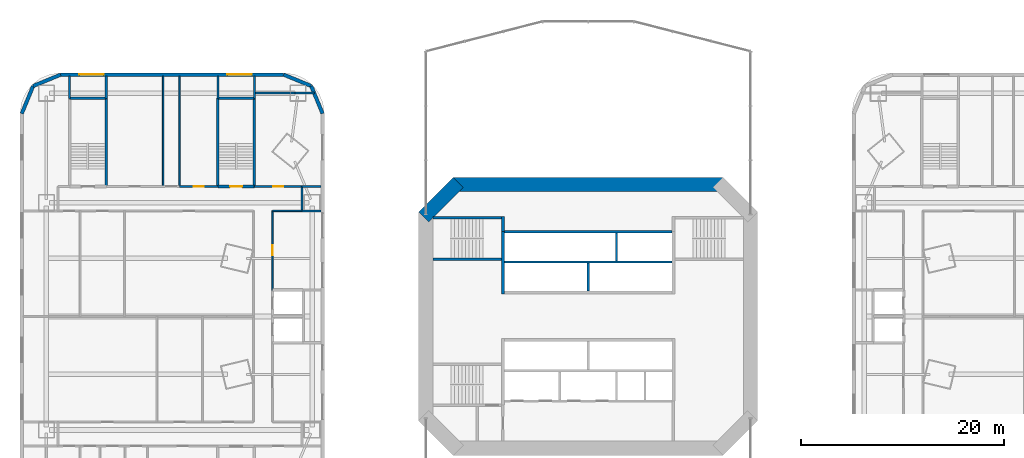
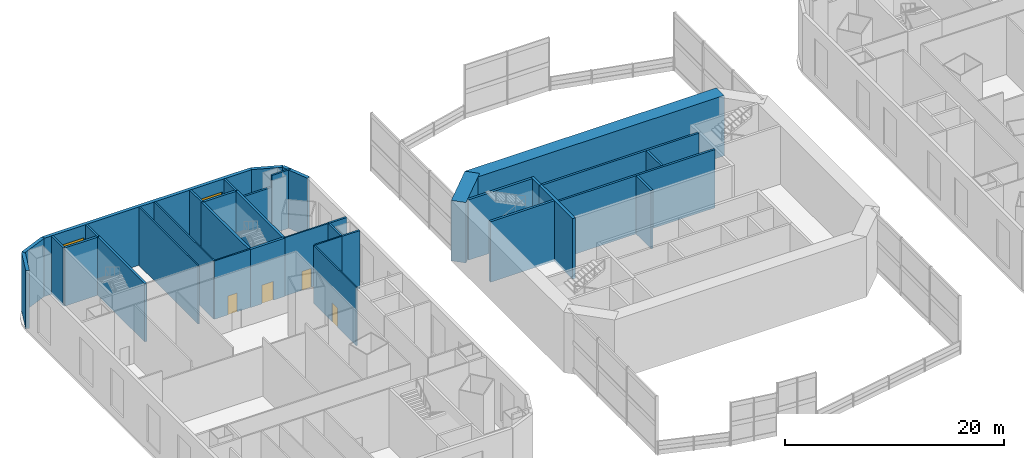
# One storey, part 12 of 19: 36 walls, 4 doors, 2 windows, 6 openings.
"""IFC4 building model written with IfcOpenShell, lengths in metres."""

from ifc_helpers import new_model, si_unit, direction, frame, frame_2d, origin, place, context, subcontext, project, spatial, rectangle, extrude, material, layer, layer_set, type_object, element, fill, save


model = new_model("IFC4")

# Units and contexts
model_context = context("Model", 3, precision=1e-05, world=origin(), true_north=direction((0.0, 1.0)))
body_context = subcontext(model_context, "Body", "Model", "MODEL_VIEW")
ifc_project = project(units=[si_unit("LENGTHUNIT", "METRE"), si_unit("AREAUNIT", "SQUARE_METRE"), si_unit("VOLUMEUNIT", "CUBIC_METRE"), si_unit("PLANEANGLEUNIT", "RADIAN"), si_unit("MASSUNIT", "GRAM", prefix="KILO")], contexts=[model_context])

# Site, building, storey
site_placement = place(None, origin())
site = spatial("IfcSite", under=ifc_project, at=site_placement, CompositionType="ELEMENT")
building_placement = place(site_placement, origin())
building = spatial("IfcBuilding", under=site, at=building_placement, Name="Marenthal Gate Tower", CompositionType="ELEMENT")
storey_placement = place(building_placement, frame((0.0, 0.0, 19.0)))
storey = spatial("IfcBuildingStorey", under=building, at=storey_placement, Name="L02", CompositionType="ELEMENT", Elevation=19.0)

# Walls
ifc_material_1 = material(Name="Concrete 60 MPa", Category="concrete")
ifc_layer_1 = layer(ifc_material_1, 1.39990234375)
ifc_layer_set_1 = layer_set([ifc_layer_1], Name="Core shear wall 1400")
wall_type_1 = type_object("IfcWallType", Name="Core shear wall 1400", PredefinedType="SHEAR", material=ifc_layer_set_1)
wall_1_placement = place(storey_placement, frame((13.289794921875, 13.0, -0.25), z_axis=(0.0, 0.0, 1.0), x_axis=(-1.0, 0.0, 0.0)))
element("IfcWall", 1, at=wall_1_placement, inside=storey, type_object=wall_type_1, Name="Core wall 04", PredefinedType="SHEAR", context=body_context, shape_type="SweptSolid", body=[
    extrude(rectangle(XDim=26.57958984375, YDim=1.39990234375, at=frame_2d((13.289794921875, 0.0))), origin(), (0.0, 0.0, 1.0), 6.75),
])
wall_2_placement = place(storey_placement, frame((-12.794921875, 13.205078125, -0.25), z_axis=(0.0, 0.0, 1.0), x_axis=(-0.707106781187, -0.707106781187, 0.0)))
element("IfcWall", 2, at=wall_2_placement, inside=storey, type_object=wall_type_1, Name="Core wall 05", PredefinedType="SHEAR", context=body_context, shape_type="SweptSolid", body=[
    extrude(rectangle(XDim=4.82275390625, YDim=1.39990234375, at=frame_2d((2.411376953125, 0.0))), origin(), (0.0, 0.0, 1.0), 6.75),
])
ifc_material_2 = material(Name="Concrete 50 MPa", Category="concrete")
ifc_layer_2 = layer(ifc_material_2, 0.300048828125)
ifc_layer_set_2 = layer_set([ifc_layer_2], Name="Hoistway shear wall 300")
wall_type_2 = type_object("IfcWallType", Name="Hoistway shear wall 300", PredefinedType="SHEAR", material=ifc_layer_set_2)
wall_3_placement = place(storey_placement, frame((-8.39990234375, 2.199951171875, -0.25), z_axis=(0.0, 0.0, 1.0), x_axis=(0.0, 1.0, 0.0)))
element("IfcWall", 3, at=wall_3_placement, inside=storey, type_object=wall_type_2, Name="Hoistway wall 24", PredefinedType="SHEAR", context=body_context, shape_type="SweptSolid", body=[
    extrude(rectangle(XDim=6.150146484375, YDim=0.300048828125, at=frame_2d((3.0751953125, 0.0))), origin(), (0.0, 0.0, 1.0), 6.75),
])
ifc_material_3 = material(Name="Concrete 40 MPa", Category="concrete")
ifc_layer_3 = layer(ifc_material_3, 0.219970703125)
ifc_layer_set_3 = layer_set([ifc_layer_3], Name="Hoistway wall 220")
wall_type_3 = type_object("IfcWallType", Name="Hoistway wall 220", PredefinedType="STANDARD", material=ifc_layer_set_3)
for number, where, z_axis, x_axis, name in (
    (4, (-8.25, 5.35009765625, 0.0), (0.0, 0.0, 1.0), (1.0, 0.0, 0.0), "Hoistway wall 15"),
    (5, (-8.25, 8.35009765625, 0.0), (0.0, 0.0, 1.0), (1.0, 0.0, 0.0), "Hoistway wall 18"),
):
    element("IfcWall", number, at=place(storey_placement, frame(where, z_axis=z_axis, x_axis=x_axis)), inside=storey, type_object=wall_type_3, Name=name, PredefinedType="STANDARD", context=body_context, shape_type="SweptSolid", body=[
        extrude(rectangle(XDim=16.5, YDim=0.219970703125, at=frame_2d((8.25, 0.0))), origin(), (0.0, 0.0, 1.0), 6.5),
    ])
wall_4_placement = place(storey_placement, frame((0.0, 2.5, 0.0), z_axis=(0.0, 0.0, 1.0), x_axis=(0.0, 1.0, 0.0)))
element("IfcWall", 6, at=wall_4_placement, inside=storey, type_object=wall_type_3, Name="Hoistway wall 28", PredefinedType="STANDARD", context=body_context, shape_type="SweptSolid", body=[
    extrude(rectangle(XDim=2.739990234375, YDim=0.219970703125, at=frame_2d((1.3701171875, 0.0))), origin(), (0.0, 0.0, 1.0), 6.5),
])
wall_5_placement = place(storey_placement, frame((2.800048828125, 5.4599609375, 0.0), z_axis=(0.0, 0.0, 1.0), x_axis=(0.0, 1.0, 0.0)))
element("IfcWall", 7, at=wall_5_placement, inside=storey, type_object=wall_type_3, Name="Hoistway wall 30", PredefinedType="STANDARD", context=body_context, shape_type="SweptSolid", body=[
    extrude(rectangle(XDim=2.780029296875, YDim=0.219970703125, at=frame_2d((1.39013671875, 0.0))), origin(), (0.0, 0.0, 1.0), 6.5),
])
ifc_material_4 = material(Name="Gypsum board on steel studs", Category="steel")
ifc_layer_4 = layer(ifc_material_4, 0.14990234375)
ifc_layer_set_4 = layer_set([ifc_layer_4], Name="Partition 150")
wall_type_4 = type_object("IfcWallType", Name="Partition 150", PredefinedType="PARTITIONING", material=ifc_layer_set_4)
wall_6_placement = place(storey_placement, frame((-31.10498046875, 10.39990234375, 0.0), z_axis=(0.0, 0.0, 1.0), x_axis=(1.0, 0.0, 0.0)))
element("IfcWall", 8, at=wall_6_placement, inside=storey, type_object=wall_type_4, Name="Partition wall 59", PredefinedType="PARTITIONING", context=body_context, shape_type="SweptSolid", body=[
    extrude(rectangle(XDim=2.905029296875, YDim=0.14990234375, at=frame_2d((1.45263671875, 0.0))), origin(), (0.0, 0.0, 1.0), 6.5),
])

# Wall, opening, door
wall_7_placement = place(storey_placement, frame((-40.27490234375, 12.800048828125, 0.0), z_axis=(0.0, 0.0, 1.0), x_axis=(1.0, 0.0, 0.0)))
wall_7 = element("IfcWall", 9, at=wall_7_placement, inside=storey, type_object=wall_type_4, Name="Partition wall 62", PredefinedType="PARTITIONING", context=body_context, shape_type="SweptSolid", body=[
    extrude(rectangle(XDim=3.77978515625, YDim=0.14990234375, at=frame_2d((1.889892578125, 0.0))), origin(), (0.0, 0.0, 1.0), 6.5),
])
opening_1_placement = place(wall_7_placement, frame((1.389892578125, 0.0, 0.0)))
opening_1 = element("IfcOpeningElement", 10, at=opening_1_placement, cuts=wall_7, Name="Opening D012.19", PredefinedType="OPENING", context=body_context, shape_type="SweptSolid", body=[
    extrude(rectangle(XDim=1.0, YDim=2.10009765625, at=frame_2d((0.5, 1.050048828125))), frame((0.0, 0.0849609375, 0.0), z_axis=(0.0, -1.0, 0.0), x_axis=(1.0, 0.0, 0.0)), (0.0, 0.0, 1.0), 0.169921875),
])
ifc_material_5 = material(Name="Timber door", Category="wood")
door_type_1 = type_object("IfcDoorType", Name="Door 1000 x 2100", OperationType="NOTDEFINED", PredefinedType="DOOR", material=ifc_material_5)
door_1_placement = place(opening_1_placement, origin())
door_1 = element("IfcDoor", 11, at=door_1_placement, inside=storey, type_object=door_type_1, Name="Door D012.19", OperationType="SINGLE_SWING_RIGHT", OverallHeight=2.10009765625, OverallWidth=1.0, PredefinedType="DOOR", context=body_context, shape_type="SweptSolid", body=[
    extrude(rectangle(XDim=1.0, YDim=2.10009765625, at=frame_2d((0.5, 1.050048828125))), frame((0.0, 0.02490234375, 0.0), z_axis=(0.0, -1.0, 0.0), x_axis=(1.0, 0.0, 0.0)), (0.0, 0.0, 1.0), 0.050048828125),
])
fill(opening_1, door_1)

wall_8_placement = place(storey_placement, frame((-32.905029296875, 12.800048828125, 0.0), z_axis=(0.0, 0.0, 1.0), x_axis=(1.0, 0.0, 0.0)))
wall_8 = element("IfcWall", 12, at=wall_8_placement, inside=storey, type_object=wall_type_4, Name="Partition wall 63", PredefinedType="PARTITIONING", context=body_context, shape_type="SweptSolid", body=[
    extrude(rectangle(XDim=4.705078125, YDim=0.14990234375, at=frame_2d((2.3525390625, 0.0))), origin(), (0.0, 0.0, 1.0), 6.5),
])
opening_2_placement = place(wall_8_placement, frame((1.857421875, 0.0, 0.0)))
opening_2 = element("IfcOpeningElement", 13, at=opening_2_placement, cuts=wall_8, Name="Opening D012.35", PredefinedType="OPENING", context=body_context, shape_type="SweptSolid", body=[
    extrude(rectangle(XDim=1.0, YDim=2.10009765625, at=frame_2d((0.5, 1.050048828125))), frame((0.0, 0.0849609375, 0.0), z_axis=(0.0, -1.0, 0.0), x_axis=(1.0, 0.0, 0.0)), (0.0, 0.0, 1.0), 0.169921875),
])
door_2_placement = place(opening_2_placement, origin())
door_2 = element("IfcDoor", 14, at=door_2_placement, inside=storey, type_object=door_type_1, Name="Door D012.35", OperationType="SINGLE_SWING_RIGHT", OverallHeight=2.10009765625, OverallWidth=1.0, PredefinedType="DOOR", context=body_context, shape_type="SweptSolid", body=[
    extrude(rectangle(XDim=1.0, YDim=2.10009765625, at=frame_2d((0.5, 1.050048828125))), frame((0.0, 0.02490234375, 0.0), z_axis=(0.0, -1.0, 0.0), x_axis=(1.0, 0.0, 0.0)), (0.0, 0.0, 1.0), 0.050048828125),
])
fill(opening_2, door_2)

wall_9_placement = place(storey_placement, frame((-31.10009765625, 2.594970703125, 0.0), z_axis=(0.0, 0.0, 1.0), x_axis=(0.0, 1.0, 0.0)))
wall_9 = element("IfcWall", 15, at=wall_9_placement, inside=storey, type_object=wall_type_4, Name="Partition wall 76", PredefinedType="PARTITIONING", context=body_context, shape_type="SweptSolid", body=[
    extrude(rectangle(XDim=7.804931640625, YDim=0.14990234375, at=frame_2d((3.90234375, 0.0))), origin(), (0.0, 0.0, 1.0), 6.5),
])
opening_3_placement = place(wall_9_placement, frame((3.405029296875, 0.0, 0.0)))
opening_3 = element("IfcOpeningElement", 16, at=opening_3_placement, cuts=wall_9, Name="Opening D012.33", PredefinedType="OPENING", context=body_context, shape_type="SweptSolid", body=[
    extrude(rectangle(XDim=1.0, YDim=2.10009765625, at=frame_2d((0.5, 1.050048828125))), frame((0.0, 0.0849609375, 0.0), z_axis=(0.0, -1.0, 0.0), x_axis=(1.0, 0.0, 0.0)), (0.0, 0.0, 1.0), 0.169921875),
])
door_3_placement = place(opening_3_placement, frame((1.0, 0.0, 0.0), z_axis=(0.0, 0.0, 1.0), x_axis=(-1.0, 0.0, 0.0)))
door_3 = element("IfcDoor", 17, at=door_3_placement, inside=storey, type_object=door_type_1, Name="Door D012.33", OperationType="SINGLE_SWING_LEFT", OverallHeight=2.10009765625, OverallWidth=1.0, PredefinedType="DOOR", context=body_context, shape_type="SweptSolid", body=[
    extrude(rectangle(XDim=1.0, YDim=2.10009765625, at=frame_2d((0.5, 1.050048828125))), frame((0.0, 0.02490234375, 0.0), z_axis=(0.0, -1.0, 0.0), x_axis=(1.0, 0.0, 0.0)), (0.0, 0.0, 1.0), 0.050048828125),
])
fill(opening_3, door_3)

# Walls
ifc_material_6 = material(Name="Gypsum board on steel studs", Category="steel")
ifc_layer_5 = layer(ifc_material_6, 0.199951171875)
ifc_layer_set_5 = layer_set([ifc_layer_5], Name="Partition 200")
wall_type_5 = type_object("IfcWallType", Name="Partition 200", PredefinedType="PARTITIONING", material=ifc_layer_set_5)
for number, where, z_axis, x_axis, name in (
    (18, (-28.203857421875, 10.39990234375, 0.0), (0.0, 0.0, 1.0), (1.0, 0.0, 0.0), "Partition wall 97"),
    (19, (-28.203857421875, 12.800048828125, 0.0), (0.0, 0.0, 1.0), (1.0, 0.0, 0.0), "Partition wall 01"),
):
    element("IfcWall", number, at=place(storey_placement, frame(where, z_axis=z_axis, x_axis=x_axis)), inside=storey, type_object=wall_type_5, Name=name, PredefinedType="PARTITIONING", context=body_context, shape_type="SweptSolid", body=[
        extrude(rectangle(XDim=1.873779296875, YDim=0.199951171875, at=frame_2d((0.93701171875, 0.0))), origin(), (0.0, 0.0, 1.0), 6.5),
    ])
wall_10_placement = place(storey_placement, frame((-32.89990234375, 22.0, 0.0), z_axis=(0.0, 0.0, 1.0), x_axis=(1.0, 0.0, 0.0)))
element("IfcWall", 20, at=wall_10_placement, inside=storey, type_object=wall_type_5, Name="Partition wall 04", PredefinedType="PARTITIONING", context=body_context, shape_type="SweptSolid", body=[
    extrude(rectangle(XDim=4.0, YDim=0.199951171875, at=frame_2d((2.0, 0.0))), origin(), (0.0, 0.0, 1.0), 5.199951171875),
])
wall_11_placement = place(storey_placement, frame((-28.89990234375, 22.0, 0.0), z_axis=(0.0, 0.0, 1.0), x_axis=(1.0, 0.0, 0.0)))
element("IfcWall", 21, at=wall_11_placement, inside=storey, type_object=wall_type_5, Name="Partition wall 171", PredefinedType="PARTITIONING", context=body_context, shape_type="SweptSolid", body=[
    extrude(rectangle(XDim=1.947998046875, YDim=0.199951171875, at=frame_2d((0.97412109375, 0.0))), origin(), (0.0, 0.0, 1.0), 6.5),
])
wall_12_placement = place(storey_placement, frame((-28.199951171875, 10.39990234375, 0.0), z_axis=(0.0, 0.0, 1.0), x_axis=(0.0, 1.0, 0.0)))
element("IfcWall", 22, at=wall_12_placement, inside=storey, type_object=wall_type_5, Name="Partition wall 18", PredefinedType="PARTITIONING", context=body_context, shape_type="SweptSolid", body=[
    extrude(rectangle(XDim=2.400146484375, YDim=0.199951171875, at=frame_2d((1.2001953125, 0.0))), origin(), (0.0, 0.0, 1.0), 6.5),
])
for number, where, z_axis, x_axis, name in (
    (23, (-32.89990234375, 21.49609375, 0.0), (0.0, 0.0, 1.0), (0.0, 1.0, 0.0), "Partition wall 20"),
    (24, (-36.5, 21.49609375, 0.0), (0.0, 0.0, 1.0), (0.0, 1.0, 0.0), "Partition wall 22"),
    (25, (-47.5, 21.49609375, 0.0), (0.0, 0.0, 1.0), (0.0, 1.0, 0.0), "Partition wall 23"),
    (26, (-51.10009765625, 21.49609375, 0.0), (0.0, 0.0, 1.0), (0.0, 1.0, 0.0), "Partition wall 24"),
):
    element("IfcWall", number, at=place(storey_placement, frame(where, z_axis=z_axis, x_axis=x_axis)), inside=storey, type_object=wall_type_5, Name=name, PredefinedType="PARTITIONING", context=body_context, shape_type="SweptSolid", body=[
        extrude(rectangle(XDim=2.173828125, YDim=0.199951171875, at=frame_2d((1.0869140625, 0.0))), origin(), (0.0, 0.0, 1.0), 6.5),
    ])
ifc_material_7 = material(Name="Concrete 50 MPa", Category="concrete")
ifc_layer_6 = layer(ifc_material_7, 0.25)
ifc_layer_set_6 = layer_set([ifc_layer_6], Name="Stair shear wall 250")
wall_type_6 = type_object("IfcWallType", Name="Stair shear wall 250", PredefinedType="SHEAR", material=ifc_layer_set_6)
for number, where, z_axis, x_axis, name in (
    (27, (-15.300048828125, 5.64990234375, -0.25), (0.0, 0.0, 1.0), (1.0, 0.0, 0.0), "Stair wall 16"),
    (28, (-15.300048828125, 9.699951171875, -0.25), (0.0, 0.0, 1.0), (1.0, 0.0, 0.0), "Stair wall 19"),
):
    element("IfcWall", number, at=place(storey_placement, frame(where, z_axis=z_axis, x_axis=x_axis)), inside=storey, type_object=wall_type_6, Name=name, PredefinedType="SHEAR", context=body_context, shape_type="SweptSolid", body=[
        extrude(rectangle(XDim=6.75, YDim=0.25, at=frame_2d((3.375, 0.0))), origin(), (0.0, 0.0, 1.0), 6.75),
    ])

# Wall, opening, door
wall_13_placement = place(storey_placement, frame((-36.5048828125, 12.800048828125, 0.0), z_axis=(0.0, 0.0, 1.0), x_axis=(1.0, 0.0, 0.0)))
wall_13 = element("IfcWall", 29, at=wall_13_placement, inside=storey, type_object=wall_type_6, Name="Stair wall 33", PredefinedType="SHEAR", context=body_context, shape_type="SweptSolid", body=[
    extrude(rectangle(XDim=3.60986328125, YDim=0.25, at=frame_2d((1.804931640625, 0.0))), origin(), (0.0, 0.0, 1.0), 6.5),
])
opening_4_placement = place(wall_13_placement, frame((1.205078125, 0.0, 0.0)))
opening_4 = element("IfcOpeningElement", 30, at=opening_4_placement, cuts=wall_13, Name="Opening D001.05", PredefinedType="OPENING", context=body_context, shape_type="SweptSolid", body=[
    extrude(rectangle(XDim=1.199951171875, YDim=2.10009765625, at=frame_2d((0.60009765625, 1.050048828125))), frame((0.0, 0.135009765625, 0.0), z_axis=(0.0, -1.0, 0.0), x_axis=(1.0, 0.0, 0.0)), (0.0, 0.0, 1.0), 0.27001953125),
])
ifc_material_8 = material(Name="Steel fire door", Category="steel")
door_type_2 = type_object("IfcDoorType", Name="Fire door FD 90 1200 x 2100", OperationType="NOTDEFINED", PredefinedType="DOOR", material=ifc_material_8)
door_4_placement = place(opening_4_placement, origin())
door_4 = element("IfcDoor", 31, at=door_4_placement, inside=storey, type_object=door_type_2, Name="Door D001.05", OperationType="SINGLE_SWING_RIGHT", OverallHeight=2.10009765625, OverallWidth=1.199951171875, PredefinedType="DOOR", context=body_context, shape_type="SweptSolid", body=[
    extrude(rectangle(XDim=1.199951171875, YDim=2.10009765625, at=frame_2d((0.60009765625, 1.050048828125))), frame((0.0, 0.02490234375, 0.0), z_axis=(0.0, -1.0, 0.0), x_axis=(1.0, 0.0, 0.0)), (0.0, 0.0, 1.0), 0.050048828125),
])
fill(opening_4, door_4)

# Walls
for number, where, z_axis, x_axis, name in (
    (32, (-51.10009765625, 21.5, 0.0), (0.0, 0.0, 1.0), (1.0, 0.0, 0.0), "Stair wall 36"),
    (33, (-36.5, 21.5, 0.0), (0.0, 0.0, 1.0), (1.0, 0.0, 0.0), "Stair wall 37"),
):
    element("IfcWall", number, at=place(storey_placement, frame(where, z_axis=z_axis, x_axis=x_axis)), inside=storey, type_object=wall_type_6, Name=name, PredefinedType="SHEAR", context=body_context, shape_type="SweptSolid", body=[
        extrude(rectangle(XDim=3.60009765625, YDim=0.25, at=frame_2d((1.800048828125, 0.0))), origin(), (0.0, 0.0, 1.0), 6.5),
    ])
for number, where, z_axis, x_axis, name in (
    (34, (-32.89990234375, 12.800048828125, 0.0), (0.0, 0.0, 1.0), (0.0, 1.0, 0.0), "Stair wall 47"),
    (35, (-36.5, 12.800048828125, 0.0), (0.0, 0.0, 1.0), (0.0, 1.0, 0.0), "Stair wall 49"),
    (36, (-47.5, 12.800048828125, 0.0), (0.0, 0.0, 1.0), (0.0, 1.0, 0.0), "Stair wall 50"),
):
    element("IfcWall", number, at=place(storey_placement, frame(where, z_axis=z_axis, x_axis=x_axis)), inside=storey, type_object=wall_type_6, Name=name, PredefinedType="SHEAR", context=body_context, shape_type="SweptSolid", body=[
        extrude(rectangle(XDim=8.699951171875, YDim=0.25, at=frame_2d((4.35009765625, 0.0))), origin(), (0.0, 0.0, 1.0), 6.5),
    ])
ifc_material_9 = material(Name="Concrete 50 MPa", Category="concrete")
ifc_layer_7 = layer(ifc_material_9, 0.300048828125)
ifc_layer_set_7 = layer_set([ifc_layer_7], Name="Stair shear wall 300")
wall_type_7 = type_object("IfcWallType", Name="Stair shear wall 300", PredefinedType="SHEAR", material=ifc_layer_set_7)
wall_14_placement = place(storey_placement, frame((-8.39990234375, 8.35009765625, -0.25), z_axis=(0.0, 0.0, 1.0), x_axis=(0.0, 1.0, 0.0)))
element("IfcWall", 37, at=wall_14_placement, inside=storey, type_object=wall_type_7, Name="Stair wall 25", PredefinedType="SHEAR", context=body_context, shape_type="SweptSolid", body=[
    extrude(rectangle(XDim=1.474853515625, YDim=0.300048828125, at=frame_2d((0.7373046875, 0.0))), origin(), (0.0, 0.0, 1.0), 6.75),
])
ifc_material_10 = material(Name="Terracotta cladding on insulated concrete-block backing", Category="masonry")
ifc_layer_8 = layer(ifc_material_10, 0.35009765625)
ifc_layer_set_8 = layer_set([ifc_layer_8], Name="Terracotta cladding wall 350")
wall_type_8 = type_object("IfcWallType", Name="Terracotta cladding wall 350", PredefinedType="SOLIDWALL", material=ifc_layer_set_8)
for number, where, z_axis, x_axis, name in (
    (38, (-26.175048828125, 19.988525390625, 0.0), (0.0, 0.0, 1.0), (-0.381727741993, 0.924274813566, 0.0), "Terracotta cladding wall L02 W4"),
    (39, (-27.29638671875, 22.70361328125, 0.0), (0.0, 0.0, 1.0), (-0.924274813566, 0.381727741993, 0.0), "Terracotta cladding wall L02 W5"),
):
    element("IfcWall", number, at=place(storey_placement, frame(where, z_axis=z_axis, x_axis=x_axis)), inside=storey, type_object=wall_type_8, Name=name, PredefinedType="SOLIDWALL", context=body_context, shape_type="SweptSolid", body=[
        extrude(rectangle(XDim=2.9375, YDim=0.35009765625, at=frame_2d((1.46875, 0.0))), origin(), (0.0, 0.0, 1.0), 6.5),
    ])

# Wall, openings, windows
wall_15_placement = place(storey_placement, frame((-30.011474609375, 23.824951171875, 0.0), z_axis=(0.0, 0.0, 1.0), x_axis=(-1.0, 0.0, 0.0)))
wall_15 = element("IfcWall", 40, at=wall_15_placement, inside=storey, type_object=wall_type_8, Name="Terracotta cladding wall L02 W6", PredefinedType="SOLIDWALL", context=body_context, shape_type="SweptSolid", body=[
    extrude(rectangle(XDim=21.97705078125, YDim=0.35009765625, at=frame_2d((10.988525390625, 0.0))), origin(), (0.0, 0.0, 1.0), 6.5),
])
opening_5_placement = place(wall_15_placement, frame((3.138427734375, 0.0, 0.89990234375)))
opening_5 = element("IfcOpeningElement", 41, at=opening_5_placement, cuts=wall_15, Name="Opening WN4-L02-71", PredefinedType="OPENING", context=body_context, shape_type="SweptSolid", body=[
    extrude(rectangle(XDim=2.39990234375, YDim=4.199951171875, at=frame_2d((1.199951171875, 2.10009765625))), frame((0.0, 0.18505859375, 0.0), z_axis=(0.0, -1.0, 0.0), x_axis=(1.0, 0.0, 0.0)), (0.0, 0.0, 1.0), 0.3701171875),
])
opening_6_placement = place(wall_15_placement, frame((17.738525390625, 0.0, 0.89990234375)))
opening_6 = element("IfcOpeningElement", 42, at=opening_6_placement, cuts=wall_15, Name="Opening WN4-L02-72", PredefinedType="OPENING", context=body_context, shape_type="SweptSolid", body=[
    extrude(rectangle(XDim=2.39990234375, YDim=4.199951171875, at=frame_2d((1.199951171875, 2.10009765625))), frame((0.0, 0.18505859375, 0.0), z_axis=(0.0, -1.0, 0.0), x_axis=(1.0, 0.0, 0.0)), (0.0, 0.0, 1.0), 0.3701171875),
])
ifc_material_11 = material(Name="Aluminium and laminated impact-rated glass", Category="aluminium")
window_type = type_object("IfcWindowType", Name="Window 2400x4200 impact-rated", PartitioningType="DOUBLE_PANEL_VERTICAL", PredefinedType="WINDOW", material=ifc_material_11)
window_1_placement = place(opening_5_placement, origin())
window_1 = element("IfcWindow", 43, at=window_1_placement, inside=storey, type_object=window_type, Name="Window L02 W6 1", OverallHeight=4.199951171875, OverallWidth=2.39990234375, PartitioningType="SINGLE_PANEL", PredefinedType="WINDOW", context=body_context, shape_type="SweptSolid", body=[
    extrude(rectangle(XDim=2.39990234375, YDim=4.199951171875, at=frame_2d((1.199951171875, 2.10009765625))), frame((0.0, 0.030029296875, 0.0), z_axis=(0.0, -1.0, 0.0), x_axis=(1.0, 0.0, 0.0)), (0.0, 0.0, 1.0), 0.06005859375),
])
fill(opening_5, window_1)
window_2_placement = place(opening_6_placement, origin())
window_2 = element("IfcWindow", 44, at=window_2_placement, inside=storey, type_object=window_type, Name="Window L02 W6 2", OverallHeight=4.199951171875, OverallWidth=2.39990234375, PartitioningType="SINGLE_PANEL", PredefinedType="WINDOW", context=body_context, shape_type="SweptSolid", body=[
    extrude(rectangle(XDim=2.39990234375, YDim=4.199951171875, at=frame_2d((1.199951171875, 2.10009765625))), frame((0.0, 0.030029296875, 0.0), z_axis=(0.0, -1.0, 0.0), x_axis=(1.0, 0.0, 0.0)), (0.0, 0.0, 1.0), 0.06005859375),
])
fill(opening_6, window_2)

# Walls
for number, where, z_axis, x_axis, name in (
    (45, (-51.988525390625, 23.824951171875, 0.0), (0.0, 0.0, 1.0), (-0.924274813566, -0.381727741993, 0.0), "Terracotta cladding wall L02 W7"),
    (46, (-54.70361328125, 22.70361328125, 0.0), (0.0, 0.0, 1.0), (-0.381727741993, -0.924274813566, 0.0), "Terracotta cladding wall L02 W8"),
):
    element("IfcWall", number, at=place(storey_placement, frame(where, z_axis=z_axis, x_axis=x_axis)), inside=storey, type_object=wall_type_8, Name=name, PredefinedType="SOLIDWALL", context=body_context, shape_type="SweptSolid", body=[
        extrude(rectangle(XDim=2.9375, YDim=0.35009765625, at=frame_2d((1.46875, 0.0))), origin(), (0.0, 0.0, 1.0), 6.5),
    ])
ifc_material_12 = material(Name="Gypsum board on steel studs", Category="steel")
ifc_layer_9 = layer(ifc_material_12, 0.14990234375)
ifc_layer_set_9 = layer_set([ifc_layer_9], Name="Wet room partition 150")
wall_type_9 = type_object("IfcWallType", Name="Wet room partition 150", PredefinedType="PARTITIONING", material=ifc_layer_set_9)
for number, where, z_axis, x_axis, name in (
    (47, (-40.27001953125, 12.800048828125, 0.0), (0.0, 0.0, 1.0), (0.0, 1.0, 0.0), "Wet wall 59"),
    (48, (-41.89990234375, 12.800048828125, 0.0), (0.0, 0.0, 1.0), (0.0, 1.0, 0.0), "Wet wall 60"),
):
    element("IfcWall", number, at=place(storey_placement, frame(where, z_axis=z_axis, x_axis=x_axis)), inside=storey, type_object=wall_type_9, Name=name, PredefinedType="PARTITIONING", context=body_context, shape_type="SweptSolid", body=[
        extrude(rectangle(XDim=10.869873046875, YDim=0.14990234375, at=frame_2d((5.43505859375, 0.0))), origin(), (0.0, 0.0, 1.0), 6.5),
    ])

save(model, "model.ifc")
